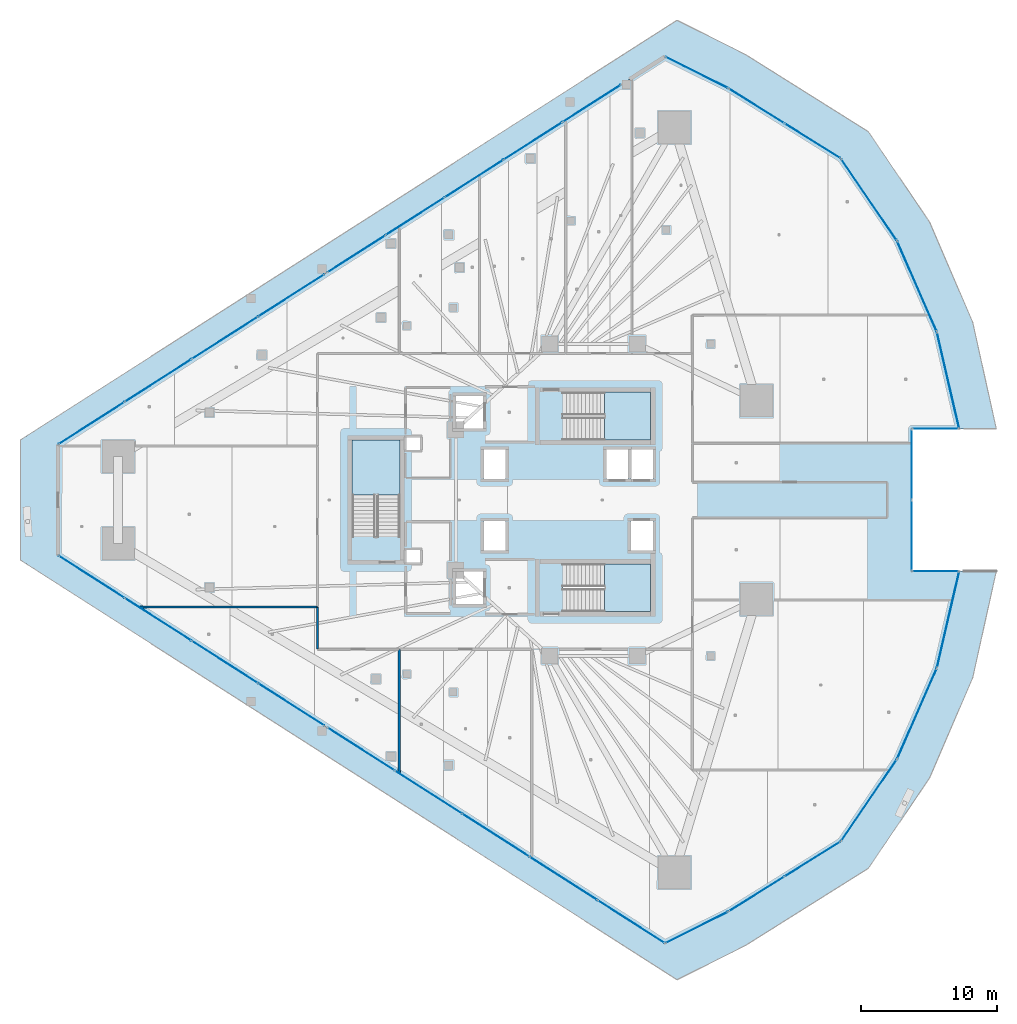
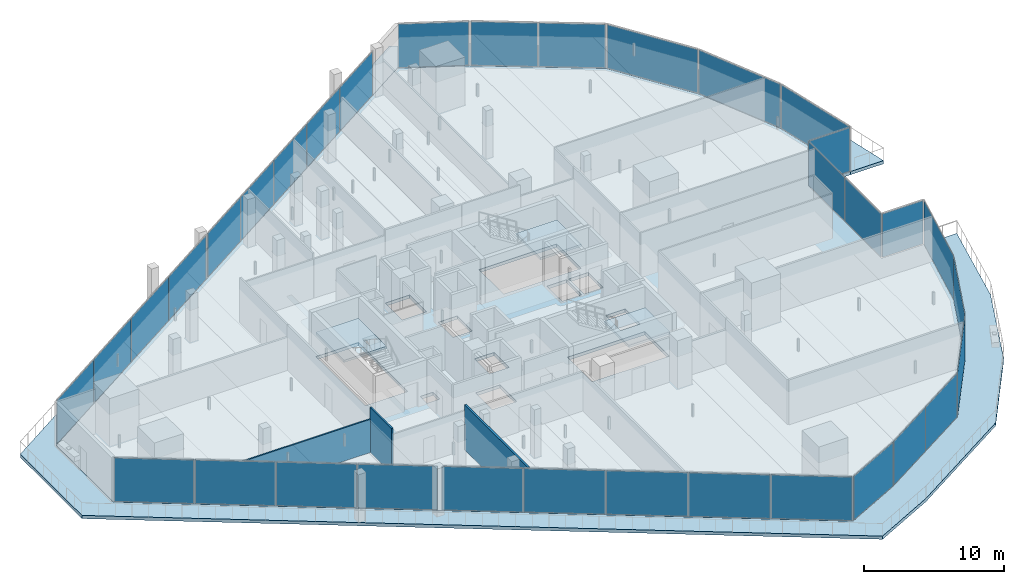
# One storey, part 27 of 44: 34 plates, 5 slabs, 3 walls, 20 elements without a shape of their own.
"""IFC4 building model written with IfcOpenShell, lengths in metres."""

from ifc_helpers import new_model, si_unit, direction, frame, frame_2d, origin, origin_2d, place, context, subcontext, project, spatial, polyline, rectangle, outline, extrude, material, layer, layer_set, type_object, element, aggregate, save


model = new_model("IFC4")

# Units and contexts
model_context = context("Model", 3, precision=1e-05, world=origin(), true_north=direction((0.0, 1.0)))
body_context = subcontext(model_context, "Body", "Model", "MODEL_VIEW")
ifc_project = project(units=[si_unit("LENGTHUNIT", "METRE"), si_unit("AREAUNIT", "SQUARE_METRE"), si_unit("VOLUMEUNIT", "CUBIC_METRE"), si_unit("PLANEANGLEUNIT", "RADIAN"), si_unit("MASSUNIT", "GRAM", prefix="KILO")], contexts=[model_context])

# Site, building, storey
site_placement = place(None, origin())
site = spatial("IfcSite", under=ifc_project, at=site_placement, CompositionType="ELEMENT")
building_placement = place(site_placement, origin())
building = spatial("IfcBuilding", under=site, at=building_placement, Name="Qorvath Tower", CompositionType="ELEMENT")
storey_placement = place(building_placement, frame((0.0, 0.0, 70.199951171875)))
storey = spatial("IfcBuildingStorey", under=building, at=storey_placement, Name="L15", CompositionType="ELEMENT", Elevation=70.199951171875)

# Curtain wall, plates
ifc_material_1 = material(Name="Anodised aluminium and triple low-E glass", Category="aluminium")
ifc_layer_1 = layer(ifc_material_1, 0.179931640625)
ifc_layer_set_1 = layer_set([ifc_layer_1], Name="CW-SYS-2")
curtain_wall_type = type_object("IfcCurtainWallType", Name="CW-SYS-2", PredefinedType="NOTDEFINED", material=ifc_layer_set_1)
curtain_wall_1_placement = place(storey_placement, origin())
curtain_wall_1 = element("IfcCurtainWall", 1, at=curtain_wall_1_placement, inside=storey, type_object=curtain_wall_type, Name="Curtain Wall CW-2 CW-T-L15-2.1", PredefinedType="NOTDEFINED")
ifc_material_2 = material(Name="Low-E triple insulated glass", Category="glass")
ifc_layer_2 = layer(ifc_material_2, 0.031982421875)
ifc_layer_set_2 = layer_set([ifc_layer_2], Name="CWP-GLZ-32")
plate_type = type_object("IfcPlateType", Name="CWP-GLZ-32", PredefinedType="CURTAIN_PANEL", material=ifc_layer_set_2)
plate_1_placement = place(storey_placement, frame((-57.23486328125, -5.640380859375, 0.065185546875), z_axis=(0.0, 0.0, 1.0), x_axis=(0.842605927173, -0.538530641183, 0.0)))
plate_1 = element("IfcPlate", 2, at=plate_1_placement, type_object=plate_type, Name="CW-2 panel 1.1", PredefinedType="CURTAIN_PANEL", context=body_context, shape_type="SweptSolid", body=[
    extrude(rectangle(XDim=5.714111328125, YDim=0.031982421875, at=origin_2d()), origin(), (0.0, 0.0, 1.0), 3.7900390625),
])
plate_2_placement = place(storey_placement, frame((-52.351806640625, -8.761474609375, 0.065185546875), z_axis=(0.0, 0.0, 1.0), x_axis=(0.842605927173, -0.538530641183, 0.0)))
plate_2 = element("IfcPlate", 3, at=plate_2_placement, type_object=plate_type, Name="CW-2 panel 2.1", PredefinedType="CURTAIN_PANEL", context=body_context, shape_type="SweptSolid", body=[
    extrude(rectangle(XDim=5.74658203125, YDim=0.031982421875, at=origin_2d()), origin(), (0.0, 0.0, 1.0), 3.7900390625),
])
plate_3_placement = place(storey_placement, frame((-47.454833984375, -11.89111328125, 0.065185546875), z_axis=(0.0, 0.0, 1.0), x_axis=(0.842605927173, -0.538530641183, 0.0)))
plate_3 = element("IfcPlate", 4, at=plate_3_placement, type_object=plate_type, Name="CW-2 panel 3.1", PredefinedType="CURTAIN_PANEL", context=body_context, shape_type="SweptSolid", body=[
    extrude(rectangle(XDim=5.74658203125, YDim=0.031982421875, at=origin_2d()), origin(), (0.0, 0.0, 1.0), 3.7900390625),
])
plate_4_placement = place(storey_placement, frame((-42.57177734375, -15.01220703125, 0.065185546875), z_axis=(0.0, 0.0, 1.0), x_axis=(0.842605927173, -0.538530641183, 0.0)))
plate_4 = element("IfcPlate", 5, at=plate_4_placement, type_object=plate_type, Name="CW-2 panel 4.1", PredefinedType="CURTAIN_PANEL", context=body_context, shape_type="SweptSolid", body=[
    extrude(rectangle(XDim=5.714111328125, YDim=0.031982421875, at=origin_2d()), origin(), (0.0, 0.0, 1.0), 3.7900390625),
])
aggregate(curtain_wall_1, [plate_1, plate_2, plate_3, plate_4])

curtain_wall_2_placement = place(storey_placement, origin())
curtain_wall_2 = element("IfcCurtainWall", 6, at=curtain_wall_2_placement, inside=storey, type_object=curtain_wall_type, Name="Curtain Wall CW-2 CW-T-L15-2.2", PredefinedType="NOTDEFINED")
plate_5_placement = place(storey_placement, frame((-37.468017578125, -18.274169921875, 0.065185546875), z_axis=(0.0, 0.0, 1.0), x_axis=(0.842601816494, -0.538537072857, 0.0)))
plate_5 = element("IfcPlate", 7, at=plate_5_placement, type_object=plate_type, Name="CW-2 panel 1.1", PredefinedType="CURTAIN_PANEL", context=body_context, shape_type="SweptSolid", body=[
    extrude(rectangle(XDim=5.790771484375, YDim=0.031982421875, at=origin_2d()), origin(), (0.0, 0.0, 1.0), 3.7900390625),
])
plate_6_placement = place(storey_placement, frame((-32.520263671875, -21.4365234375, 0.065185546875), z_axis=(0.0, 0.0, 1.0), x_axis=(0.842601816494, -0.538537072857, 0.0)))
plate_6 = element("IfcPlate", 8, at=plate_6_placement, type_object=plate_type, Name="CW-2 panel 2.1", PredefinedType="CURTAIN_PANEL", context=body_context, shape_type="SweptSolid", body=[
    extrude(rectangle(XDim=5.8232421875, YDim=0.031982421875, at=origin_2d()), origin(), (0.0, 0.0, 1.0), 3.7900390625),
])
plate_7_placement = place(storey_placement, frame((-27.55859375, -24.607666015625, 0.065185546875), z_axis=(0.0, 0.0, 1.0), x_axis=(0.842601816494, -0.538537072857, 0.0)))
plate_7 = element("IfcPlate", 9, at=plate_7_placement, type_object=plate_type, Name="CW-2 panel 3.1", PredefinedType="CURTAIN_PANEL", context=body_context, shape_type="SweptSolid", body=[
    extrude(rectangle(XDim=5.8232421875, YDim=0.031982421875, at=origin_2d()), origin(), (0.0, 0.0, 1.0), 3.7900390625),
])
plate_8_placement = place(storey_placement, frame((-22.59716796875, -27.778564453125, 0.065185546875), z_axis=(0.0, 0.0, 1.0), x_axis=(0.842601816494, -0.538537072857, 0.0)))
plate_8 = element("IfcPlate", 10, at=plate_8_placement, type_object=plate_type, Name="CW-2 panel 4.1", PredefinedType="CURTAIN_PANEL", context=body_context, shape_type="SweptSolid", body=[
    extrude(rectangle(XDim=5.8232421875, YDim=0.031982421875, at=origin_2d()), origin(), (0.0, 0.0, 1.0), 3.7900390625),
])
plate_9_placement = place(storey_placement, frame((-17.6494140625, -30.94091796875, 0.065185546875), z_axis=(0.0, 0.0, 1.0), x_axis=(0.842601816494, -0.538537072857, 0.0)))
plate_9 = element("IfcPlate", 11, at=plate_9_placement, type_object=plate_type, Name="CW-2 panel 5.1", PredefinedType="CURTAIN_PANEL", context=body_context, shape_type="SweptSolid", body=[
    extrude(rectangle(XDim=5.790771484375, YDim=0.031982421875, at=origin_2d()), origin(), (0.0, 0.0, 1.0), 3.7900390625),
])
aggregate(curtain_wall_2, [plate_5, plate_6, plate_7, plate_8, plate_9])

# Curtain wall, plate
curtain_wall_3_placement = place(storey_placement, origin())
curtain_wall_3 = element("IfcCurtainWall", 12, at=curtain_wall_3_placement, inside=storey, type_object=curtain_wall_type, Name="Curtain Wall CW-2 CW-T-L15-3.1", PredefinedType="NOTDEFINED")
plate_10_placement = place(storey_placement, frame((-12.8310546875, -31.373291015625, 0.065185546875), z_axis=(0.0, 0.0, 1.0), x_axis=(0.894423342243, 0.447221292931, 0.0)))
plate_10 = element("IfcPlate", 13, at=plate_10_placement, type_object=plate_type, Name="CW-2 panel 1.1", PredefinedType="CURTAIN_PANEL", context=body_context, shape_type="SweptSolid", body=[
    extrude(rectangle(XDim=5.066650390625, YDim=0.031982421875, at=origin_2d()), origin(), (0.0, 0.0, 1.0), 3.7900390625),
])
aggregate(curtain_wall_3, [plate_10])

# Curtain wall, plates
curtain_wall_4_placement = place(storey_placement, origin())
curtain_wall_4 = element("IfcCurtainWall", 14, at=curtain_wall_4_placement, inside=storey, type_object=curtain_wall_type, Name="Curtain Wall CW-2 CW-T-L15-4.1", PredefinedType="NOTDEFINED")
plate_11_placement = place(storey_placement, frame((-8.42724609375, -28.912353515625, 0.065185546875), z_axis=(0.0, 0.0, 1.0), x_axis=(0.848193720642, 0.529686145055, 0.0)))
plate_11 = element("IfcPlate", 15, at=plate_11_placement, type_object=plate_type, Name="CW-2 panel 1.1", PredefinedType="CURTAIN_PANEL", context=body_context, shape_type="SweptSolid", body=[
    extrude(rectangle(XDim=4.77392578125, YDim=0.031982421875, at=origin_2d()), origin(), (0.0, 0.0, 1.0), 3.7900390625),
])
plate_12_placement = place(storey_placement, frame((-4.322998046875, -26.349365234375, 0.065185546875), z_axis=(0.0, 0.0, 1.0), x_axis=(0.848193720642, 0.529686145055, 0.0)))
plate_12 = element("IfcPlate", 16, at=plate_12_placement, type_object=plate_type, Name="CW-2 panel 2.1", PredefinedType="CURTAIN_PANEL", context=body_context, shape_type="SweptSolid", body=[
    extrude(rectangle(XDim=4.77392578125, YDim=0.031982421875, at=origin_2d()), origin(), (0.0, 0.0, 1.0), 3.7900390625),
])
aggregate(curtain_wall_4, [plate_11, plate_12])

# Curtain wall, plate
curtain_wall_5_placement = place(storey_placement, origin())
curtain_wall_5 = element("IfcCurtainWall", 17, at=curtain_wall_5_placement, inside=storey, type_object=curtain_wall_type, Name="Curtain Wall CW-2 CW-T-L15-5.1", PredefinedType="NOTDEFINED")
plate_13_placement = place(storey_placement, frame((-0.185302734375, -22.037109375, 0.065185546875), z_axis=(0.0, 0.0, 1.0), x_axis=(0.563974408689, 0.825792265854, 0.0)))
plate_13 = element("IfcPlate", 18, at=plate_13_placement, type_object=plate_type, Name="CW-2 panel 1.1", PredefinedType="CURTAIN_PANEL", context=body_context, shape_type="SweptSolid", body=[
    extrude(rectangle(XDim=7.168212890625, YDim=0.031982421875, at=origin_2d()), origin(), (0.0, 0.0, 1.0), 3.7900390625),
])
aggregate(curtain_wall_5, [plate_13])

curtain_wall_6_placement = place(storey_placement, origin())
curtain_wall_6 = element("IfcCurtainWall", 19, at=curtain_wall_6_placement, inside=storey, type_object=curtain_wall_type, Name="Curtain Wall CW-2 CW-T-L15-6.1", PredefinedType="NOTDEFINED")
plate_14_placement = place(storey_placement, frame((3.33740234375, -15.681396484375, 0.065185546875), z_axis=(0.0, 0.0, 1.0), x_axis=(0.401347784416, 0.915925737134, 0.0)))
plate_14 = element("IfcPlate", 20, at=plate_14_placement, type_object=plate_type, Name="CW-2 panel 1.1", PredefinedType="CURTAIN_PANEL", context=body_context, shape_type="SweptSolid", body=[
    extrude(rectangle(XDim=7.16845703125, YDim=0.031982421875, at=origin_2d()), origin(), (0.0, 0.0, 1.0), 3.7900390625),
])
aggregate(curtain_wall_6, [plate_14])

curtain_wall_7_placement = place(storey_placement, origin())
curtain_wall_7 = element("IfcCurtainWall", 21, at=curtain_wall_7_placement, inside=storey, type_object=curtain_wall_type, Name="Curtain Wall CW-2 CW-T-L15-7.1", PredefinedType="NOTDEFINED")
plate_15_placement = place(storey_placement, frame((5.622314453125, -8.783203125, 0.065185546875), z_axis=(0.0, 0.0, 1.0), x_axis=(0.224763439425, 0.974413360078, 0.0)))
plate_15 = element("IfcPlate", 22, at=plate_15_placement, type_object=plate_type, Name="CW-2 panel 1.1", PredefinedType="CURTAIN_PANEL", context=body_context, shape_type="SweptSolid", body=[
    extrude(rectangle(XDim=7.16845703125, YDim=0.031982421875, at=origin_2d()), origin(), (0.0, 0.0, 1.0), 3.7900390625),
])
aggregate(curtain_wall_7, [plate_15])

curtain_wall_8_placement = place(storey_placement, origin())
curtain_wall_8 = element("IfcCurtainWall", 23, at=curtain_wall_8_placement, inside=storey, type_object=curtain_wall_type, Name="Curtain Wall CW-2 CW-T-L15-8.1", PredefinedType="NOTDEFINED")
plate_16_placement = place(storey_placement, frame((4.699951171875, -5.227294921875, 0.065185546875), z_axis=(0.0, 0.0, 1.0), x_axis=(-1.0, 0.0, 0.0)))
plate_16 = element("IfcPlate", 24, at=plate_16_placement, type_object=plate_type, Name="CW-2 panel 1.1", PredefinedType="CURTAIN_PANEL", context=body_context, shape_type="SweptSolid", body=[
    extrude(rectangle(XDim=3.35498046875, YDim=0.031982421875, at=origin_2d()), origin(), (0.0, 0.0, 1.0), 3.7900390625),
])
aggregate(curtain_wall_8, [plate_16])

# Curtain wall, plates
curtain_wall_9_placement = place(storey_placement, origin())
curtain_wall_9 = element("IfcCurtainWall", 25, at=curtain_wall_9_placement, inside=storey, type_object=curtain_wall_type, Name="Curtain Wall CW-2 CW-T-L15-9.1", PredefinedType="NOTDEFINED")
plate_17_placement = place(storey_placement, frame((2.95751953125, -2.597412109375, 0.065185546875), z_axis=(0.0, 0.0, 1.0), x_axis=(0.0, 1.0, 0.0)))
plate_17 = element("IfcPlate", 26, at=plate_17_placement, type_object=plate_type, Name="CW-2 panel 1.1", PredefinedType="CURTAIN_PANEL", context=body_context, shape_type="SweptSolid", body=[
    extrude(rectangle(XDim=5.1298828125, YDim=0.031982421875, at=origin_2d()), origin(), (0.0, 0.0, 1.0), 3.7900390625),
])
plate_18_placement = place(storey_placement, frame((2.95751953125, 2.597412109375, 0.065185546875), z_axis=(0.0, 0.0, 1.0), x_axis=(0.0, 1.0, 0.0)))
plate_18 = element("IfcPlate", 27, at=plate_18_placement, type_object=plate_type, Name="CW-2 panel 2.1", PredefinedType="CURTAIN_PANEL", context=body_context, shape_type="SweptSolid", body=[
    extrude(rectangle(XDim=5.1298828125, YDim=0.031982421875, at=origin_2d()), origin(), (0.0, 0.0, 1.0), 3.7900390625),
])
aggregate(curtain_wall_9, [plate_17, plate_18])

# Curtain wall, plate
curtain_wall_10_placement = place(storey_placement, origin())
curtain_wall_10 = element("IfcCurtainWall", 28, at=curtain_wall_10_placement, inside=storey, type_object=curtain_wall_type, Name="Curtain Wall CW-2 CW-T-L15-10.1", PredefinedType="NOTDEFINED")
plate_19_placement = place(storey_placement, frame((4.699951171875, 5.227294921875, 0.065185546875), z_axis=(0.0, 0.0, 1.0), x_axis=(1.0, 0.0, 0.0)))
plate_19 = element("IfcPlate", 29, at=plate_19_placement, type_object=plate_type, Name="CW-2 panel 1.1", PredefinedType="CURTAIN_PANEL", context=body_context, shape_type="SweptSolid", body=[
    extrude(rectangle(XDim=3.35498046875, YDim=0.031982421875, at=origin_2d()), origin(), (0.0, 0.0, 1.0), 3.7900390625),
])
aggregate(curtain_wall_10, [plate_19])

curtain_wall_11_placement = place(storey_placement, origin())
curtain_wall_11 = element("IfcCurtainWall", 30, at=curtain_wall_11_placement, inside=storey, type_object=curtain_wall_type, Name="Curtain Wall CW-2 CW-T-L15-11.1", PredefinedType="NOTDEFINED")
plate_20_placement = place(storey_placement, frame((5.622314453125, 8.783203125, 0.065185546875), z_axis=(0.0, 0.0, 1.0), x_axis=(-0.224763439425, 0.974413360078, 0.0)))
plate_20 = element("IfcPlate", 31, at=plate_20_placement, type_object=plate_type, Name="CW-2 panel 1.1", PredefinedType="CURTAIN_PANEL", context=body_context, shape_type="SweptSolid", body=[
    extrude(rectangle(XDim=7.16845703125, YDim=0.031982421875, at=origin_2d()), origin(), (0.0, 0.0, 1.0), 3.7900390625),
])
aggregate(curtain_wall_11, [plate_20])

curtain_wall_12_placement = place(storey_placement, origin())
curtain_wall_12 = element("IfcCurtainWall", 32, at=curtain_wall_12_placement, inside=storey, type_object=curtain_wall_type, Name="Curtain Wall CW-2 CW-T-L15-12.1", PredefinedType="NOTDEFINED")
plate_21_placement = place(storey_placement, frame((3.33740234375, 15.681396484375, 0.065185546875), z_axis=(0.0, 0.0, 1.0), x_axis=(-0.401347784416, 0.915925737134, 0.0)))
plate_21 = element("IfcPlate", 33, at=plate_21_placement, type_object=plate_type, Name="CW-2 panel 1.1", PredefinedType="CURTAIN_PANEL", context=body_context, shape_type="SweptSolid", body=[
    extrude(rectangle(XDim=7.16845703125, YDim=0.031982421875, at=origin_2d()), origin(), (0.0, 0.0, 1.0), 3.7900390625),
])
aggregate(curtain_wall_12, [plate_21])

curtain_wall_13_placement = place(storey_placement, origin())
curtain_wall_13 = element("IfcCurtainWall", 34, at=curtain_wall_13_placement, inside=storey, type_object=curtain_wall_type, Name="Curtain Wall CW-2 CW-T-L15-13.1", PredefinedType="NOTDEFINED")
plate_22_placement = place(storey_placement, frame((-0.185302734375, 22.037109375, 0.065185546875), z_axis=(0.0, 0.0, 1.0), x_axis=(-0.563974408689, 0.825792265854, 0.0)))
plate_22 = element("IfcPlate", 35, at=plate_22_placement, type_object=plate_type, Name="CW-2 panel 1.1", PredefinedType="CURTAIN_PANEL", context=body_context, shape_type="SweptSolid", body=[
    extrude(rectangle(XDim=7.168212890625, YDim=0.031982421875, at=origin_2d()), origin(), (0.0, 0.0, 1.0), 3.7900390625),
])
aggregate(curtain_wall_13, [plate_22])

# Curtain wall, plates
curtain_wall_14_placement = place(storey_placement, origin())
curtain_wall_14 = element("IfcCurtainWall", 36, at=curtain_wall_14_placement, inside=storey, type_object=curtain_wall_type, Name="Curtain Wall CW-2 CW-T-L15-14.1", PredefinedType="NOTDEFINED")
plate_23_placement = place(storey_placement, frame((-4.322998046875, 26.349365234375, 0.065185546875), z_axis=(0.0, 0.0, 1.0), x_axis=(-0.848193720642, 0.529686145055, 0.0)))
plate_23 = element("IfcPlate", 37, at=plate_23_placement, type_object=plate_type, Name="CW-2 panel 1.1", PredefinedType="CURTAIN_PANEL", context=body_context, shape_type="SweptSolid", body=[
    extrude(rectangle(XDim=4.77392578125, YDim=0.031982421875, at=origin_2d()), origin(), (0.0, 0.0, 1.0), 3.7900390625),
])
plate_24_placement = place(storey_placement, frame((-8.42724609375, 28.912353515625, 0.065185546875), z_axis=(0.0, 0.0, 1.0), x_axis=(-0.848193720642, 0.529686145055, 0.0)))
plate_24 = element("IfcPlate", 38, at=plate_24_placement, type_object=plate_type, Name="CW-2 panel 2.1", PredefinedType="CURTAIN_PANEL", context=body_context, shape_type="SweptSolid", body=[
    extrude(rectangle(XDim=4.77392578125, YDim=0.031982421875, at=origin_2d()), origin(), (0.0, 0.0, 1.0), 3.7900390625),
])
aggregate(curtain_wall_14, [plate_23, plate_24])

# Curtain wall, plate
curtain_wall_15_placement = place(storey_placement, origin())
curtain_wall_15 = element("IfcCurtainWall", 39, at=curtain_wall_15_placement, inside=storey, type_object=curtain_wall_type, Name="Curtain Wall CW-2 CW-T-L15-15.1", PredefinedType="NOTDEFINED")
plate_25_placement = place(storey_placement, frame((-12.8310546875, 31.373291015625, 0.065185546875), z_axis=(0.0, 0.0, 1.0), x_axis=(-0.894423342243, 0.447221292931, 0.0)))
plate_25 = element("IfcPlate", 40, at=plate_25_placement, type_object=plate_type, Name="CW-2 panel 1.1", PredefinedType="CURTAIN_PANEL", context=body_context, shape_type="SweptSolid", body=[
    extrude(rectangle(XDim=5.066650390625, YDim=0.031982421875, at=origin_2d()), origin(), (0.0, 0.0, 1.0), 3.7900390625),
])
aggregate(curtain_wall_15, [plate_25])

# Curtain wall, plates
curtain_wall_16_placement = place(storey_placement, origin())
curtain_wall_16 = element("IfcCurtainWall", 41, at=curtain_wall_16_placement, inside=storey, type_object=curtain_wall_type, Name="Curtain Wall CW-2 CW-T-L15-16.2", PredefinedType="NOTDEFINED")
plate_26_placement = place(storey_placement, frame((-20.54296875, 29.091796875, 0.065185546875), z_axis=(0.0, 0.0, 1.0), x_axis=(-0.842598525671, -0.538542221685, 0.0)))
plate_26 = element("IfcPlate", 42, at=plate_26_placement, type_object=plate_type, Name="CW-2 panel 1.1", PredefinedType="CURTAIN_PANEL", context=body_context, shape_type="SweptSolid", body=[
    extrude(rectangle(XDim=5.027587890625, YDim=0.031982421875, at=origin_2d()), origin(), (0.0, 0.0, 1.0), 3.7900390625),
])
plate_27_placement = place(storey_placement, frame((-24.847900390625, 26.34033203125, 0.065185546875), z_axis=(0.0, 0.0, 1.0), x_axis=(-0.842598525671, -0.538542221685, 0.0)))
plate_27 = element("IfcPlate", 43, at=plate_27_placement, type_object=plate_type, Name="CW-2 panel 2.1", PredefinedType="CURTAIN_PANEL", context=body_context, shape_type="SweptSolid", body=[
    extrude(rectangle(XDim=5.06005859375, YDim=0.031982421875, at=origin_2d()), origin(), (0.0, 0.0, 1.0), 3.7900390625),
])
plate_28_placement = place(storey_placement, frame((-29.166259765625, 23.580078125, 0.065185546875), z_axis=(0.0, 0.0, 1.0), x_axis=(-0.842598525671, -0.538542221685, 0.0)))
plate_28 = element("IfcPlate", 44, at=plate_28_placement, type_object=plate_type, Name="CW-2 panel 3.1", PredefinedType="CURTAIN_PANEL", context=body_context, shape_type="SweptSolid", body=[
    extrude(rectangle(XDim=5.06005859375, YDim=0.031982421875, at=origin_2d()), origin(), (0.0, 0.0, 1.0), 3.7900390625),
])
plate_29_placement = place(storey_placement, frame((-33.484619140625, 20.820068359375, 0.065185546875), z_axis=(0.0, 0.0, 1.0), x_axis=(-0.842598525671, -0.538542221685, 0.0)))
plate_29 = element("IfcPlate", 45, at=plate_29_placement, type_object=plate_type, Name="CW-2 panel 4.1", PredefinedType="CURTAIN_PANEL", context=body_context, shape_type="SweptSolid", body=[
    extrude(rectangle(XDim=5.06005859375, YDim=0.031982421875, at=origin_2d()), origin(), (0.0, 0.0, 1.0), 3.7900390625),
])
plate_30_placement = place(storey_placement, frame((-37.78955078125, 18.068603515625, 0.065185546875), z_axis=(0.0, 0.0, 1.0), x_axis=(-0.842598525671, -0.538542221685, 0.0)))
plate_30 = element("IfcPlate", 46, at=plate_30_placement, type_object=plate_type, Name="CW-2 panel 5.1", PredefinedType="CURTAIN_PANEL", context=body_context, shape_type="SweptSolid", body=[
    extrude(rectangle(XDim=5.027587890625, YDim=0.031982421875, at=origin_2d()), origin(), (0.0, 0.0, 1.0), 3.7900390625),
])
aggregate(curtain_wall_16, [plate_26, plate_27, plate_28, plate_29, plate_30])

curtain_wall_17_placement = place(storey_placement, origin())
curtain_wall_17 = element("IfcCurtainWall", 47, at=curtain_wall_17_placement, inside=storey, type_object=curtain_wall_type, Name="Curtain Wall CW-2 CW-T-L15-16.3", PredefinedType="NOTDEFINED")
plate_31_placement = place(storey_placement, frame((-42.57177734375, 15.01220703125, 0.065185546875), z_axis=(0.0, 0.0, 1.0), x_axis=(-0.842605927173, -0.538530641183, 0.0)))
plate_31 = element("IfcPlate", 48, at=plate_31_placement, type_object=plate_type, Name="CW-2 panel 1.1", PredefinedType="CURTAIN_PANEL", context=body_context, shape_type="SweptSolid", body=[
    extrude(rectangle(XDim=5.714111328125, YDim=0.031982421875, at=origin_2d()), origin(), (0.0, 0.0, 1.0), 3.7900390625),
])
plate_32_placement = place(storey_placement, frame((-47.454833984375, 11.89111328125, 0.065185546875), z_axis=(0.0, 0.0, 1.0), x_axis=(-0.842605927173, -0.538530641183, 0.0)))
plate_32 = element("IfcPlate", 49, at=plate_32_placement, type_object=plate_type, Name="CW-2 panel 2.1", PredefinedType="CURTAIN_PANEL", context=body_context, shape_type="SweptSolid", body=[
    extrude(rectangle(XDim=5.74658203125, YDim=0.031982421875, at=origin_2d()), origin(), (0.0, 0.0, 1.0), 3.7900390625),
])
plate_33_placement = place(storey_placement, frame((-52.351806640625, 8.761474609375, 0.065185546875), z_axis=(0.0, 0.0, 1.0), x_axis=(-0.842605927173, -0.538530641183, 0.0)))
plate_33 = element("IfcPlate", 50, at=plate_33_placement, type_object=plate_type, Name="CW-2 panel 3.1", PredefinedType="CURTAIN_PANEL", context=body_context, shape_type="SweptSolid", body=[
    extrude(rectangle(XDim=5.74658203125, YDim=0.031982421875, at=origin_2d()), origin(), (0.0, 0.0, 1.0), 3.7900390625),
])
plate_34_placement = place(storey_placement, frame((-57.23486328125, 5.640380859375, 0.065185546875), z_axis=(0.0, 0.0, 1.0), x_axis=(-0.842605927173, -0.538530641183, 0.0)))
plate_34 = element("IfcPlate", 51, at=plate_34_placement, type_object=plate_type, Name="CW-2 panel 4.1", PredefinedType="CURTAIN_PANEL", context=body_context, shape_type="SweptSolid", body=[
    extrude(rectangle(XDim=5.714111328125, YDim=0.031982421875, at=origin_2d()), origin(), (0.0, 0.0, 1.0), 3.7900390625),
])
aggregate(curtain_wall_17, [plate_31, plate_32, plate_33, plate_34])

# Stair, slab
ifc_material_3 = material(Name="Concrete C50/60", Category="concrete")
stair_type = type_object("IfcStairType", Name="ST-H420", PredefinedType="HALF_TURN_STAIR", material=ifc_material_3)
stair_1_placement = place(storey_placement, origin())
stair_1 = element("IfcStair", 52, at=stair_1_placement, inside=storey, type_object=stair_type, Name="L15 Tower Exit Stair 1", PredefinedType="HALF_TURN_STAIR")
ifc_material_4 = material(Name="Concrete C50/60", Category="concrete")
ifc_layer_3 = layer(ifc_material_4, 0.199951171875)
ifc_layer_set_3 = layer_set([ifc_layer_3], Name="SL-LND-200")
slab_type_1 = type_object("IfcSlabType", Name="SL-LND-200", PredefinedType="LANDING", material=ifc_layer_set_3)
slab_1_placement = place(storey_placement, frame((0.0, 0.0, 1.900146484375)))
slab_1 = element("IfcSlab", 53, at=slab_1_placement, type_object=slab_type_1, Name="TS1 landing 1", PredefinedType="LANDING", context=body_context, shape_type="SweptSolid", body=[
    extrude(outline(polyline([(-19.590087890625, 4.39990234375), (-16.199951171875, 4.39990234375), (-16.199951171875, 7.909912109375), (-19.590087890625, 7.909912109375), (-19.590087890625, 4.39990234375)])), origin(), (0.0, 0.0, 1.0), 0.199951171875),
])
aggregate(stair_1, [slab_1])

stair_2_placement = place(storey_placement, origin())
stair_2 = element("IfcStair", 54, at=stair_2_placement, inside=storey, type_object=stair_type, Name="L15 Tower Exit Stair 2", PredefinedType="HALF_TURN_STAIR")
slab_2_placement = place(storey_placement, frame((0.0, 0.0, 1.900146484375)))
slab_2 = element("IfcSlab", 55, at=slab_2_placement, type_object=slab_type_1, Name="TS2 landing 1", PredefinedType="LANDING", context=body_context, shape_type="SweptSolid", body=[
    extrude(outline(polyline([(-19.590087890625, -8.199951171875), (-16.199951171875, -8.199951171875), (-16.199951171875, -4.68994140625), (-19.590087890625, -4.68994140625), (-19.590087890625, -8.199951171875)])), origin(), (0.0, 0.0, 1.0), 0.199951171875),
])
aggregate(stair_2, [slab_2])

stair_3_placement = place(storey_placement, origin())
stair_3 = element("IfcStair", 56, at=stair_3_placement, inside=storey, type_object=stair_type, Name="L15 Tower Exit Stair 3", PredefinedType="HALF_TURN_STAIR")
slab_3_placement = place(storey_placement, frame((0.0, 0.0, 1.900146484375)))
slab_3 = element("IfcSlab", 57, at=slab_3_placement, type_object=slab_type_1, Name="TS3 landing 1", PredefinedType="LANDING", context=body_context, shape_type="SweptSolid", body=[
    extrude(outline(polyline([(-34.60009765625, 0.360107421875), (-34.60009765625, 4.39990234375), (-38.110107421875, 4.39990234375), (-38.110107421875, 0.360107421875), (-34.60009765625, 0.360107421875)])), origin(), (0.0, 0.0, 1.0), 0.199951171875),
])
aggregate(stair_3, [slab_3])

# Slabs
ifc_material_5 = material(Name="Precast concrete C45/55", Category="concrete")
ifc_layer_4 = layer(ifc_material_5, 0.280029296875)
ifc_layer_set_4 = layer_set([ifc_layer_4], Name="SL-LOG-280")
slab_type_2 = type_object("IfcSlabType", Name="SL-LOG-280", PredefinedType="FLOOR", material=ifc_layer_set_4)
slab_4_placement = place(storey_placement, frame((0.0, 0.0, -0.280029296875)))
element("IfcSlab", 58, at=slab_4_placement, inside=storey, type_object=slab_type_2, Name="Tower L15 Perimeter Loggia and Terrace Slab", PredefinedType="FLOOR", context=body_context, shape_type="SweptSolid", body=[
    extrude(outline(polyline([(6.4423828125, -5.227294921875), (4.802001953125, -12.3388671875), (1.872802734375, -19.023681640625), (-2.2431640625, -25.050537109375), (-10.507080078125, -30.211181640625), (-15.155029296875, -32.53515625), (-59.697021484375, -4.06689453125), (-59.697021484375, 4.06689453125), (-15.155029296875, 32.53515625), (-10.507080078125, 30.211181640625), (-2.2431640625, 25.050537109375), (1.872802734375, 19.023681640625), (4.802001953125, 12.3388671875), (6.4423828125, 5.227294921875), (9.158447265625, 5.227294921875), (7.4287109375, 13.04248046875), (4.26318359375, 20.39453125), (-0.22607421875, 27.021728515625), (-9.236572265625, 32.688720703125), (-14.265625, 35.203369140625), (-62.460693359375, 4.400390625), (-62.460693359375, -4.400390625), (-14.265625, -35.203369140625), (-9.236572265625, -32.688720703125), (-0.22607421875, -27.021728515625), (4.26318359375, -20.39453125), (7.4287109375, -13.04248046875), (9.158447265625, -5.227294921875), (6.4423828125, -5.227294921875)])), origin(), (0.0, 0.0, 1.0), 0.280029296875),
])
ifc_material_6 = material(Name="Concrete C45/55", Category="concrete")
ifc_layer_5 = layer(ifc_material_6, 0.280029296875)
ifc_layer_set_5 = layer_set([ifc_layer_5], Name="SL-TYP-280")
slab_type_3 = type_object("IfcSlabType", Name="SL-TYP-280", PredefinedType="FLOOR", material=ifc_layer_set_5)
slab_5_placement = place(storey_placement, frame((0.0, 0.0, -0.280029296875)))
element("IfcSlab", 59, at=slab_5_placement, inside=storey, type_object=slab_type_3, Name="Tower L15 Interior Floor Slab", PredefinedType="FLOOR", context=body_context, shape_type="SweptSolid", body=[
    extrude(outline(polyline([(-59.697021484375, 4.06689453125), (-59.697021484375, -4.06689453125), (-15.155029296875, -32.53515625), (-10.507080078125, -30.211181640625), (-2.2431640625, -25.050537109375), (1.872802734375, -19.023681640625), (4.802001953125, -12.3388671875), (6.4423828125, -5.227294921875), (2.95751953125, -5.227294921875), (2.95751953125, 5.227294921875), (6.4423828125, 5.227294921875), (4.802001953125, 12.3388671875), (1.872802734375, 19.023681640625), (-2.2431640625, 25.050537109375), (-10.507080078125, 30.211181640625), (-15.155029296875, 32.53515625), (-59.697021484375, 4.06689453125)]), holes=[polyline([(-17.64990234375, -3.699951171875), (-17.64990234375, -1.550048828125), (-16.050048828125, -1.550048828125), (-16.050048828125, -3.699951171875), (-17.64990234375, -3.699951171875)]), polyline([(-17.64990234375, 1.550048828125), (-17.64990234375, 3.699951171875), (-16.050048828125, 3.699951171875), (-16.050048828125, 1.550048828125), (-17.64990234375, 1.550048828125)]), polyline([(-16.2451171875, -8.199951171875), (-22.625, -8.199951171875), (-22.625, -4.68994140625), (-16.2451171875, -4.68994140625), (-16.2451171875, -8.199951171875)]), polyline([(-22.625, 4.39990234375), (-22.625, 7.909912109375), (-16.2451171875, 7.909912109375), (-16.2451171875, 4.39990234375), (-22.625, 4.39990234375)]), polyline([(-17.85009765625, 1.550048828125), (-19.449951171875, 1.550048828125), (-19.449951171875, 3.699951171875), (-17.85009765625, 3.699951171875), (-17.85009765625, 1.550048828125)]), polyline([(-28.449951171875, -3.699951171875), (-28.449951171875, -1.550048828125), (-26.85009765625, -1.550048828125), (-26.85009765625, -3.699951171875), (-28.449951171875, -3.699951171875)]), polyline([(-26.85009765625, 1.550048828125), (-28.449951171875, 1.550048828125), (-28.449951171875, 3.699951171875), (-26.85009765625, 3.699951171875), (-26.85009765625, 1.550048828125)]), polyline([(-28.5, -7.64990234375), (-30.5, -7.64990234375), (-30.5, -5.25), (-28.5, -5.25), (-28.5, -7.64990234375)]), polyline([(-30.5, 5.25), (-30.5, 7.64990234375), (-28.5, 7.64990234375), (-28.5, 5.25), (-30.5, 5.25)]), polyline([(-34.14990234375, -4.6201171875), (-34.14990234375, -3.64990234375), (-33.10009765625, -3.64990234375), (-33.10009765625, -4.6201171875), (-34.14990234375, -4.6201171875)]), polyline([(-34.14990234375, 3.64990234375), (-34.14990234375, 4.6201171875), (-33.10009765625, 4.6201171875), (-33.10009765625, 3.64990234375), (-34.14990234375, 3.64990234375)]), polyline([(-34.60009765625, -2.675048828125), (-38.110107421875, -2.675048828125), (-38.110107421875, 4.35498046875), (-34.60009765625, 4.35498046875), (-34.60009765625, -2.675048828125)])]), origin(), (0.0, 0.0, 1.0), 0.280029296875),
])

# Walls
ifc_material_7 = material(Name="Double acoustic gypsum board on steel studs", Category="steel")
ifc_layer_6 = layer(ifc_material_7, 0.159912109375)
ifc_layer_set_6 = layer_set([ifc_layer_6], Name="IW-ACOUSTIC-160")
wall_type_1 = type_object("IfcWallType", Name="IW-ACOUSTIC-160", PredefinedType="PARTITIONING", material=ifc_layer_set_6)
wall_1_placement = place(storey_placement, frame((-34.64990234375, -10.98291015625, 0.0), z_axis=(0.0, 0.0, 1.0), x_axis=(0.0, -1.0, 0.0)))
element("IfcWall", 60, at=wall_1_placement, inside=storey, type_object=wall_type_1, Name="Interior Partition IW-T1-L15-028", PredefinedType="PARTITIONING", context=body_context, shape_type="SweptSolid", body=[
    extrude(rectangle(XDim=9.012451171875, YDim=0.159912109375, at=frame_2d((4.50634765625, 0.0))), origin(), (0.0, 0.0, 1.0), 3.920166015625),
])
ifc_material_8 = material(Name="Gypsum board on metal studs with mineral wool", Category="gypsum")
ifc_layer_7 = layer(ifc_material_8, 0.125)
ifc_layer_set_7 = layer_set([ifc_layer_7], Name="IW-PART-125")
wall_type_2 = type_object("IfcWallType", Name="IW-PART-125", PredefinedType="PARTITIONING", material=ifc_layer_set_7)
wall_2_placement = place(storey_placement, frame((-40.657958984375, -10.93310546875, 0.0), z_axis=(0.0, 0.0, 1.0), x_axis=(0.0, 1.0, 0.0)))
element("IfcWall", 61, at=wall_2_placement, inside=storey, type_object=wall_type_2, Name="Interior Partition IW-T1-L15-045", PredefinedType="PARTITIONING", context=body_context, shape_type="SweptSolid", body=[
    extrude(rectangle(XDim=3.051025390625, YDim=0.125, at=frame_2d((1.525390625, 0.0))), origin(), (0.0, 0.0, 1.0), 3.920166015625),
])
wall_3_placement = place(storey_placement, frame((-40.68310546875, -7.857177734375, 0.0), z_axis=(0.0, 0.0, 1.0), x_axis=(-1.0, 0.0, 0.0)))
element("IfcWall", 62, at=wall_3_placement, inside=storey, type_object=wall_type_2, Name="Interior Partition IW-T1-L15-046", PredefinedType="PARTITIONING", context=body_context, shape_type="SweptSolid", body=[
    extrude(rectangle(XDim=13.00341796875, YDim=0.125, at=frame_2d((6.501708984375, 0.0))), origin(), (0.0, 0.0, 1.0), 2.89013671875),
])

save(model, "model.ifc")
